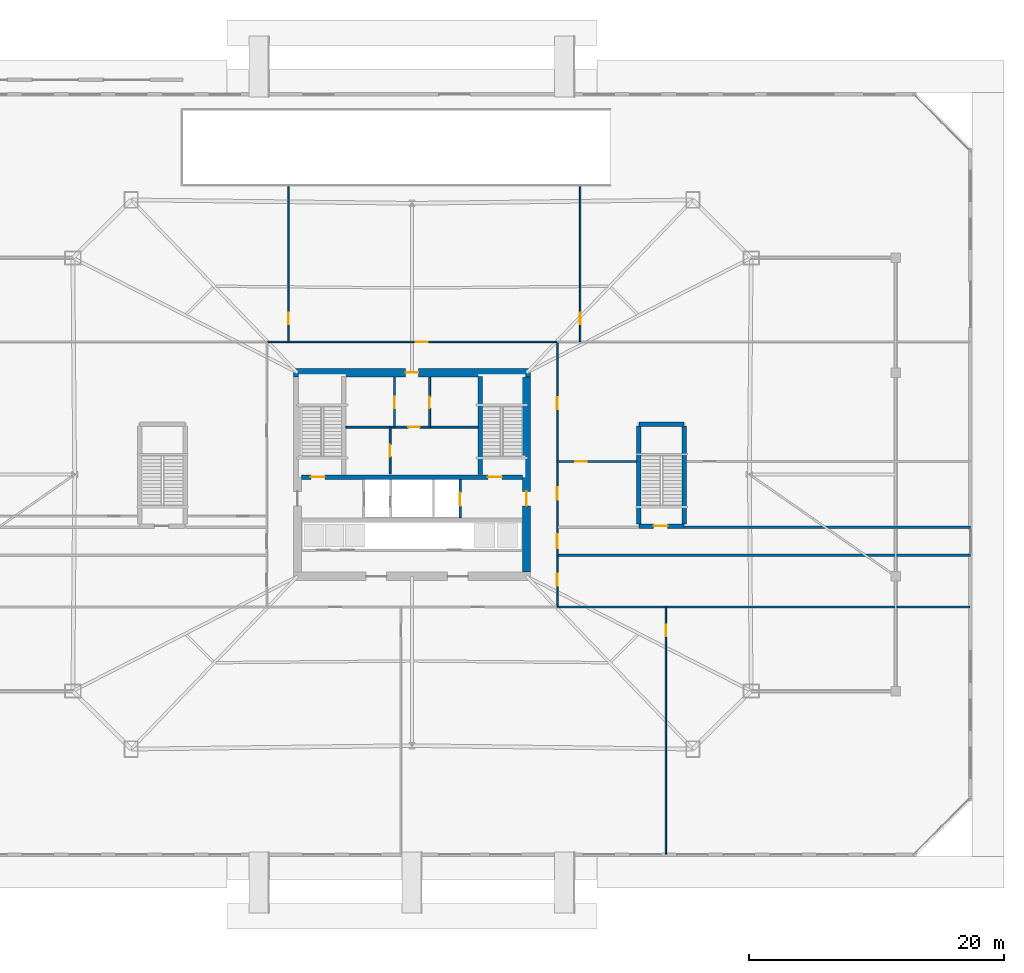
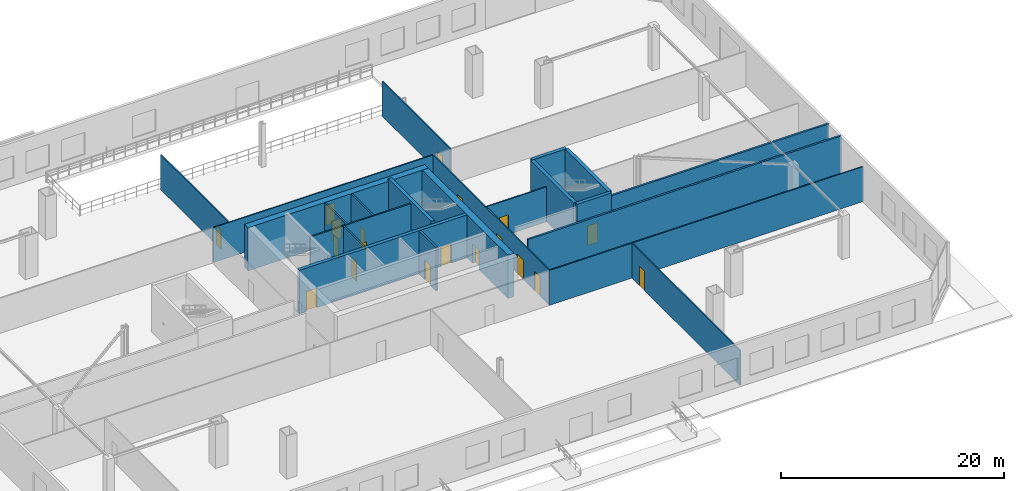
# One storey, part 16 of 23: 22 walls, 19 doors, 19 openings.
"""IFC4 building model written with IfcOpenShell, lengths in metres."""

import ifcopenshell
import ifcopenshell.guid

model = None  # the IFC model being written
_history = None  # IfcOwnerHistory: only IFC2X3 demands one
_inside = {}  # id of a spatial element -> (the spatial element, [elements in it])
_under = {}  # id of a project, library or spatial element -> (it, [spatial elements below it])
_declared = {}  # id of a project -> (the project, [libraries it declares])
_typed = {}  # id of a type object -> (the type object, [elements of that type])
_made_of = {}  # id of a material, layer set ... -> (it, [elements and type objects made of it])


def new_model(schema):
    """Start an empty IFC model of exactly this schema.

    Asked for "IFC4X3", IfcOpenShell would pick the latest addendum, in which some entities
    have other attributes; the version numbers below select the first issue.
    IFC2X3 requires an IfcOwnerHistory on every rooted entity: one is made here for all.
    """
    global model, _history
    if schema == "IFC4X3":
        model = ifcopenshell.file(schema_version=(4, 3, 0, 0))
    else:
        model = ifcopenshell.file(schema=schema)
    _inside.clear()
    _under.clear()
    _declared.clear()
    _typed.clear()
    _made_of.clear()
    _history = None
    if model.schema == "IFC2X3":
        org = make("IfcOrganization", Name="unknown")
        user = make(
            "IfcPersonAndOrganization",
            ThePerson=make("IfcPerson", FamilyName="unknown"),
            TheOrganization=org,
        )
        app = make(
            "IfcApplication",
            ApplicationDeveloper=org,
            Version="unknown",
            ApplicationFullName="unknown",
            ApplicationIdentifier="unknown",
        )
        _history = make(
            "IfcOwnerHistory",
            OwningUser=user,
            OwningApplication=app,
            ChangeAction="ADDED",
            CreationDate=0,
        )
    return model


def make(cls, **values):
    """One entity of the class cls with the attributes given. An attribute that is None is left unset."""
    return model.create_entity(
        cls, **{name: value for name, value in values.items() if value is not None}
    )


def rooted(cls, **values):
    """An entity with a GlobalId (a new one), such as an element, a storey or a relation."""
    return make(cls, GlobalId=ifcopenshell.guid.new(), OwnerHistory=_history, **values)


def si_unit(unit_type, name, prefix=None):
    """IfcSIUnit, for example si_unit("LENGTHUNIT", "METRE", prefix="MILLI")."""
    return make("IfcSIUnit", UnitType=unit_type, Prefix=prefix, Name=name)


def assignment(units):
    """IfcUnitAssignment: the units of a project."""
    return None if units is None else make("IfcUnitAssignment", Units=units)


def point(xyz):
    """IfcCartesianPoint."""
    return None if xyz is None else make("IfcCartesianPoint", Coordinates=xyz)


def direction(xyz):
    """IfcDirection."""
    return None if xyz is None else make("IfcDirection", DirectionRatios=xyz)


def frame(location, z_axis=None, x_axis=None):
    """IfcAxis2Placement3D, a coordinate frame: its origin and axes. An axis left out is left unset."""
    return make(
        "IfcAxis2Placement3D",
        Location=point(location),
        Axis=direction(z_axis),
        RefDirection=direction(x_axis),
    )


def frame_2d(location, x_axis=None):
    """IfcAxis2Placement2D, a coordinate frame in the plane: its origin and x axis."""
    return make(
        "IfcAxis2Placement2D", Location=point(location), RefDirection=direction(x_axis)
    )


def origin():
    """The frame at (0, 0, 0) with its axes left unset."""
    return frame((0.0, 0.0, 0.0))


def place(relative_to, where):
    """IfcLocalPlacement: puts the frame where relative to a parent placement (None: the world)."""
    return make(
        "IfcLocalPlacement", PlacementRelTo=relative_to, RelativePlacement=where
    )


def context(
    kind, dimensions, precision=None, world=None, true_north=None, identifier=None
):
    """IfcGeometricRepresentationContext, for example the 3D "Model" context."""
    return make(
        "IfcGeometricRepresentationContext",
        ContextIdentifier=identifier,
        ContextType=kind,
        CoordinateSpaceDimension=dimensions,
        Precision=precision,
        WorldCoordinateSystem=world,
        TrueNorth=true_north,
    )


def subcontext(parent, identifier, kind, view, scale=None):
    """IfcGeometricRepresentationSubContext, for example "Body" below "Model"."""
    return make(
        "IfcGeometricRepresentationSubContext",
        ContextIdentifier=identifier,
        ContextType=kind,
        ParentContext=parent,
        TargetScale=scale,
        TargetView=view,
    )


def project(units=None, contexts=None):
    """IfcProject with its units and contexts."""
    return rooted(
        "IfcProject",
        Name="project",
        RepresentationContexts=contexts,
        UnitsInContext=assignment(units),
    )


def spatial(cls, under=None, at=None, **own):
    """A site, building, storey or space (cls), placed at a placement, below another one or the project."""
    s = rooted(cls, ObjectPlacement=at, **own)
    if under is not None:
        _under.setdefault(under.id(), (under, []))[1].append(s)
    return s


def profile(cls, at=None, kind="AREA", **sizes):
    """A parametric profile (cls). Its sizes go by their IFC names, for example OverallWidth=200.0."""
    return make(cls, ProfileType=kind, Position=at, **sizes)


def rectangle(**sizes):
    """IfcRectangleProfileDef."""
    return profile("IfcRectangleProfileDef", **sizes)


def extrude(swept, where, along, depth):
    """IfcExtrudedAreaSolid: the profile swept, set in the frame where, extruded along a direction by depth."""
    return make(
        "IfcExtrudedAreaSolid",
        SweptArea=swept,
        Position=where,
        ExtrudedDirection=direction(along),
        Depth=depth,
    )


def shape(context_of_items, identifier, shape_type, items):
    """IfcShapeRepresentation: the items that make up one representation, for example the "Body"."""
    return make(
        "IfcShapeRepresentation",
        ContextOfItems=context_of_items,
        RepresentationIdentifier=identifier,
        RepresentationType=shape_type,
        Items=items,
    )


def material(Name=None, Category=None):
    """IfcMaterial."""
    return make("IfcMaterial", Name=Name, Category=Category)


def layer(
    of_material, thickness, ventilated=None, Name=None, Category=None, Priority=None
):
    """IfcMaterialLayer: one layer of a wall or slab, of a material (None: an air gap)."""
    return make(
        "IfcMaterialLayer",
        Material=of_material,
        LayerThickness=thickness,
        IsVentilated=ventilated,
        Name=Name,
        Category=Category,
        Priority=Priority,
    )


def layer_set(layers, Name=None):
    """IfcMaterialLayerSet."""
    return make("IfcMaterialLayerSet", MaterialLayers=layers, LayerSetName=Name)


def made_of(thing, what):
    """Note that an element or type object is made of a material, layer set ...; save() writes the relation."""
    if what is not None:
        _made_of.setdefault(what.id(), (what, []))[1].append(thing)
    return thing


def type_object(cls, material=None, **own):
    """A type object (cls), such as IfcWallType, which elements share."""
    return made_of(rooted(cls, **own), material)


def element(
    cls,
    number,
    at=None,
    inside=None,
    cuts=None,
    type_object=None,
    material=None,
    context=None,
    identifier="Body",
    shape_type=None,
    held_by="IfcProductDefinitionShape",
    body=None,
    shapes=None,
    **own,
):
    """One element of the class cls, such as IfcWall. Its Tag is "e" and its number.

    at: its placement. inside: the storey or other place that contains it. cuts: it is an
    opening in that element (IfcRelVoidsElement). A single representation is given by context,
    identifier, shape_type and body (its items); several are given by shapes. held_by: the class
    of the entity that holds the representations. save() writes the other relations.
    """
    e = rooted(cls, Tag="e%d" % number, ObjectPlacement=at, **own)
    if body is not None:
        shapes = [shape(context, identifier, shape_type, body)]
    if shapes is not None:
        e.Representation = make(held_by, Representations=shapes)
    if inside is not None:
        _inside.setdefault(inside.id(), (inside, []))[1].append(e)
    if cuts is not None:
        rooted(
            "IfcRelVoidsElement", RelatingBuildingElement=cuts, RelatedOpeningElement=e
        )
    if type_object is not None:
        _typed.setdefault(type_object.id(), (type_object, []))[1].append(e)
    return made_of(e, material)


def fill(opening, filler):
    """IfcRelFillsElement: the door or window that sits in an opening."""
    return rooted(
        "IfcRelFillsElement",
        RelatingOpeningElement=opening,
        RelatedBuildingElement=filler,
    )


def aggregate(whole, parts):
    """IfcRelAggregates: a whole, such as a stair, and the parts it consists of."""
    return rooted("IfcRelAggregates", RelatingObject=whole, RelatedObjects=parts)


def save(model, path):
    """Write the relations noted so far, then the file.

    IfcRelAggregates (storeys below a building ...), IfcRelContainedInSpatialStructure (elements
    in a storey), IfcRelDefinesByType, IfcRelAssociatesMaterial and IfcRelDeclares: one each for
    every whole, place, type object, material and project.
    """
    for whole, parts in _under.values():
        aggregate(whole, parts)
    for where, things in _inside.values():
        rooted(
            "IfcRelContainedInSpatialStructure",
            RelatedElements=things,
            RelatingStructure=where,
        )
    for kind, things in _typed.values():
        rooted("IfcRelDefinesByType", RelatedObjects=things, RelatingType=kind)
    for what, things in _made_of.values():
        rooted("IfcRelAssociatesMaterial", RelatedObjects=things, RelatingMaterial=what)
    for by, libraries in _declared.values():
        rooted("IfcRelDeclares", RelatingContext=by, RelatedDefinitions=libraries)
    model.write(path)


model = new_model("IFC4")

# Units and contexts
model_context = context("Model", 3, precision=1e-05, world=origin(), true_north=direction((0.0, 1.0)))
body_context = subcontext(model_context, "Body", "Model", "MODEL_VIEW")
ifc_project = project(units=[si_unit("LENGTHUNIT", "METRE"), si_unit("AREAUNIT", "SQUARE_METRE"), si_unit("VOLUMEUNIT", "CUBIC_METRE"), si_unit("PLANEANGLEUNIT", "RADIAN"), si_unit("MASSUNIT", "GRAM", prefix="KILO")], contexts=[model_context])

# Site, building, storey
site_placement = place(None, origin())
site = spatial("IfcSite", under=ifc_project, at=site_placement, CompositionType="ELEMENT")
building_placement = place(site_placement, origin())
building = spatial("IfcBuilding", under=site, at=building_placement, Name="Caelvoria Tower", CompositionType="ELEMENT")
storey_placement = place(building_placement, origin())
storey = spatial("IfcBuildingStorey", under=building, at=storey_placement, Name="L00", CompositionType="ELEMENT", Elevation=0.0)

# Wall, openings, doors
ifc_material_1 = material(Name="Concrete C50/60", Category="concrete")
ifc_layer_1 = layer(ifc_material_1, 0.35009765625, Name="Concrete C50/60")
ifc_layer_set_1 = layer_set([ifc_layer_1], Name="Core Internal Shear Wall 350 - Concrete C50/60")
wall_type_1 = type_object("IfcWallType", Name="Core Internal Shear Wall 350", PredefinedType="SHEAR", material=ifc_layer_set_1)
wall_1_placement = place(storey_placement, frame((37.324951171875, 31.800048828125, 0.0), z_axis=(0.0, 0.0, 1.0), x_axis=(1.0, 0.0, 0.0)))
wall_1 = element("IfcWall", 1, at=wall_1_placement, inside=storey, type_object=wall_type_1, Name="Core Shear Wall L00 M1", PredefinedType="SHEAR", context=body_context, shape_type="SweptSolid", body=[
    extrude(rectangle(XDim=17.35009765625, YDim=0.35009765625, at=frame_2d((8.675048828125, 0.0))), origin(), (0.0, 0.0, 1.0), 4.719970703125),
])
opening_1_placement = place(wall_1_placement, frame((0.72509765625, 0.0, 0.0)))
opening_1 = element("IfcOpeningElement", 2, at=opening_1_placement, cuts=wall_1, Name="Opening ID-01", PredefinedType="OPENING", context=body_context, shape_type="SweptSolid", body=[
    extrude(rectangle(XDim=1.10009765625, YDim=2.14990234375, at=frame_2d((0.550048828125, 1.074951171875))), frame((0.0, 0.18505859375, 0.0), z_axis=(0.0, -1.0, 0.0), x_axis=(1.0, 0.0, 0.0)), (0.0, 0.0, 1.0), 0.3701171875),
])
opening_2_placement = place(wall_1_placement, frame((14.625, 0.0, 0.0)))
opening_2 = element("IfcOpeningElement", 3, at=opening_2_placement, cuts=wall_1, Name="Opening ID-01", PredefinedType="OPENING", context=body_context, shape_type="SweptSolid", body=[
    extrude(rectangle(XDim=1.10009765625, YDim=2.14990234375, at=frame_2d((0.550048828125, 1.074951171875))), frame((0.0, 0.18505859375, 0.0), z_axis=(0.0, -1.0, 0.0), x_axis=(1.0, 0.0, 0.0)), (0.0, 0.0, 1.0), 0.3701171875),
])
ifc_material_2 = material(Name="Painted Hollow Steel Fire Door", Category="steel")
door_type_1 = type_object("IfcDoorType", Name="Fire Door FD90S 1100x2150", OperationType="NOTDEFINED", PredefinedType="DOOR", material=ifc_material_2)
door_1_placement = place(opening_1_placement, origin())
door_1 = element("IfcDoor", 4, at=door_1_placement, inside=storey, type_object=door_type_1, Name="Core Door DR-L00-ST1", OperationType="SINGLE_SWING_LEFT", OverallHeight=2.14990234375, OverallWidth=1.10009765625, PredefinedType="DOOR", context=body_context, shape_type="SweptSolid", body=[
    extrude(rectangle(XDim=1.10009765625, YDim=2.14990234375, at=frame_2d((0.550048828125, 1.074951171875))), frame((0.0, 0.02490234375, 0.0), z_axis=(0.0, -1.0, 0.0), x_axis=(1.0, 0.0, 0.0)), (0.0, 0.0, 1.0), 0.050048828125),
])
fill(opening_1, door_1)
door_2_placement = place(opening_2_placement, origin())
door_2 = element("IfcDoor", 5, at=door_2_placement, inside=storey, type_object=door_type_1, Name="Core Door DR-L00-ST2", OperationType="SINGLE_SWING_RIGHT", OverallHeight=2.14990234375, OverallWidth=1.10009765625, PredefinedType="DOOR", context=body_context, shape_type="SweptSolid", body=[
    extrude(rectangle(XDim=1.10009765625, YDim=2.14990234375, at=frame_2d((0.550048828125, 1.074951171875))), frame((0.0, 0.02490234375, 0.0), z_axis=(0.0, -1.0, 0.0), x_axis=(1.0, 0.0, 0.0)), (0.0, 0.0, 1.0), 0.050048828125),
])
fill(opening_2, door_2)

# Wall
wall_2_placement = place(storey_placement, frame((51.35009765625, 32.0, 0.0), z_axis=(0.0, 0.0, 1.0), x_axis=(0.0, 1.0, 0.0)))
element("IfcWall", 6, at=wall_2_placement, inside=storey, type_object=wall_type_1, Name="Interior Partition IW-L00-ST2W", PredefinedType="SHEAR", context=body_context, shape_type="SweptSolid", body=[
    extrude(rectangle(XDim=7.699951171875, YDim=0.35009765625, at=frame_2d((3.85009765625, 0.0))), origin(), (0.0, 0.0, 1.0), 5.0),
])

# Wall, opening, door
wall_3_placement = place(storey_placement, frame((63.824951171875, 27.949951171875, 0.0), z_axis=(0.0, 0.0, 1.0), x_axis=(1.0, 0.0, 0.0)))
wall_3 = element("IfcWall", 7, at=wall_3_placement, inside=storey, type_object=wall_type_1, Name="Podium Stair Shear Wall L00 ST4 S", PredefinedType="SHEAR", context=body_context, shape_type="SweptSolid", body=[
    extrude(rectangle(XDim=3.550048828125, YDim=0.35009765625, at=frame_2d((1.77490234375, 0.0))), origin(), (0.0, 0.0, 1.0), 5.0),
])
opening_3_placement = place(wall_3_placement, frame((1.14990234375, 0.0, 0.0)))
opening_3 = element("IfcOpeningElement", 8, at=opening_3_placement, cuts=wall_3, Name="Opening ID-01", PredefinedType="OPENING", context=body_context, shape_type="SweptSolid", body=[
    extrude(rectangle(XDim=1.10009765625, YDim=2.14990234375, at=frame_2d((0.550048828125, 1.074951171875))), frame((0.0, 0.18505859375, 0.0), z_axis=(0.0, -1.0, 0.0), x_axis=(1.0, 0.0, 0.0)), (0.0, 0.0, 1.0), 0.3701171875),
])
door_3_placement = place(opening_3_placement, origin())
door_3 = element("IfcDoor", 9, at=door_3_placement, inside=storey, type_object=door_type_1, Name="Podium Stair Door L00 ST4", OperationType="SINGLE_SWING_RIGHT", OverallHeight=2.14990234375, OverallWidth=1.10009765625, PredefinedType="DOOR", context=body_context, shape_type="SweptSolid", body=[
    extrude(rectangle(XDim=1.10009765625, YDim=2.14990234375, at=frame_2d((0.550048828125, 1.074951171875))), frame((0.0, 0.02490234375, 0.0), z_axis=(0.0, -1.0, 0.0), x_axis=(1.0, 0.0, 0.0)), (0.0, 0.0, 1.0), 0.050048828125),
])
fill(opening_3, door_3)

# Walls
wall_4_placement = place(storey_placement, frame((63.824951171875, 35.949951171875, 0.0), z_axis=(0.0, 0.0, 1.0), x_axis=(1.0, 0.0, 0.0)))
element("IfcWall", 10, at=wall_4_placement, inside=storey, type_object=wall_type_1, Name="Podium Stair Shear Wall L00 ST4 N", PredefinedType="SHEAR", context=body_context, shape_type="SweptSolid", body=[
    extrude(rectangle(XDim=3.550048828125, YDim=0.35009765625, at=frame_2d((1.77490234375, 0.0))), origin(), (0.0, 0.0, 1.0), 5.0),
])
for number, where, z_axis, x_axis, name in (
    (11, (63.824951171875, 28.10009765625, 0.0), (0.0, 0.0, 1.0), (0.0, 1.0, 0.0), "Podium Stair Shear Wall L00 ST4 W"),
    (12, (67.375, 28.10009765625, 0.0), (0.0, 0.0, 1.0), (0.0, 1.0, 0.0), "Podium Stair Shear Wall L00 ST4 E"),
):
    element("IfcWall", number, at=place(storey_placement, frame(where, z_axis=z_axis, x_axis=x_axis)), inside=storey, type_object=wall_type_1, Name=name, PredefinedType="SHEAR", context=body_context, shape_type="SweptSolid", body=[
        extrude(rectangle(XDim=7.699951171875, YDim=0.35009765625, at=frame_2d((3.85009765625, 0.0))), origin(), (0.0, 0.0, 1.0), 5.0),
    ])

# Wall, opening, door
ifc_material_3 = material(Name="Double Gypsum Board on Steel Stud", Category="steel")
ifc_layer_2 = layer(ifc_material_3, 0.14990234375, Name="Double Gypsum Board on Steel Stud")
ifc_layer_set_2 = layer_set([ifc_layer_2], Name="Core Service Acoustic Partition Wall 150 - Double Gypsum Board on Steel Stud")
wall_type_2 = type_object("IfcWallType", Name="Core Service Acoustic Partition Wall 150", PredefinedType="PARTITIONING", material=ifc_layer_set_2)
wall_5_placement = place(storey_placement, frame((44.6201171875, 35.719970703125, 0.0), z_axis=(0.0, 0.0, 1.0), x_axis=(0.0, 1.0, 0.0)))
wall_5 = element("IfcWall", 13, at=wall_5_placement, inside=storey, type_object=wall_type_2, Name="Interior Partition IW-L00-C0L", PredefinedType="PARTITIONING", context=body_context, shape_type="SweptSolid", body=[
    extrude(rectangle(XDim=3.929931640625, YDim=0.14990234375, at=frame_2d((1.96484375, 0.0))), origin(), (0.0, 0.0, 1.0), 4.719970703125),
])
opening_4_placement = place(wall_5_placement, frame((1.5, 0.0, 0.0)))
opening_4 = element("IfcOpeningElement", 14, at=opening_4_placement, cuts=wall_5, Name="Opening ID-06", PredefinedType="OPENING", context=body_context, shape_type="SweptSolid", body=[
    extrude(rectangle(XDim=0.89990234375, YDim=2.14990234375, at=frame_2d((0.449951171875, 1.074951171875))), frame((0.0, 0.0849609375, 0.0), z_axis=(0.0, -1.0, 0.0), x_axis=(1.0, 0.0, 0.0)), (0.0, 0.0, 1.0), 0.169921875),
])
ifc_material_4 = material(Name="Engineered Andean Oak Veneer Door", Category="wood")
door_type_2 = type_object("IfcDoorType", Name="Interior Timber Door 900x2150", OperationType="NOTDEFINED", PredefinedType="DOOR", material=ifc_material_4)
door_4_placement = place(opening_4_placement, origin())
door_4 = element("IfcDoor", 15, at=door_4_placement, inside=storey, type_object=door_type_2, Name="Interior Door DR-L00-C01", OperationType="SINGLE_SWING_LEFT", OverallHeight=2.14990234375, OverallWidth=0.89990234375, PredefinedType="DOOR", context=body_context, shape_type="SweptSolid", body=[
    extrude(rectangle(XDim=0.89990234375, YDim=2.14990234375, at=frame_2d((0.449951171875, 1.074951171875))), frame((0.0, 0.02490234375, 0.0), z_axis=(0.0, -1.0, 0.0), x_axis=(1.0, 0.0, 0.0)), (0.0, 0.0, 1.0), 0.050048828125),
])
fill(opening_4, door_4)

wall_6_placement = place(storey_placement, frame((47.3798828125, 35.719970703125, 0.0), z_axis=(0.0, 0.0, 1.0), x_axis=(0.0, 1.0, 0.0)))
wall_6 = element("IfcWall", 16, at=wall_6_placement, inside=storey, type_object=wall_type_2, Name="Interior Partition IW-L00-C0R", PredefinedType="PARTITIONING", context=body_context, shape_type="SweptSolid", body=[
    extrude(rectangle(XDim=3.929931640625, YDim=0.14990234375, at=frame_2d((1.96484375, 0.0))), origin(), (0.0, 0.0, 1.0), 4.719970703125),
])
opening_5_placement = place(wall_6_placement, frame((1.5, 0.0, 0.0)))
opening_5 = element("IfcOpeningElement", 17, at=opening_5_placement, cuts=wall_6, Name="Opening ID-06", PredefinedType="OPENING", context=body_context, shape_type="SweptSolid", body=[
    extrude(rectangle(XDim=0.89990234375, YDim=2.14990234375, at=frame_2d((0.449951171875, 1.074951171875))), frame((0.0, 0.0849609375, 0.0), z_axis=(0.0, -1.0, 0.0), x_axis=(1.0, 0.0, 0.0)), (0.0, 0.0, 1.0), 0.169921875),
])
door_5_placement = place(opening_5_placement, origin())
door_5 = element("IfcDoor", 18, at=door_5_placement, inside=storey, type_object=door_type_2, Name="Interior Door DR-L00-C02", OperationType="SINGLE_SWING_RIGHT", OverallHeight=2.14990234375, OverallWidth=0.89990234375, PredefinedType="DOOR", context=body_context, shape_type="SweptSolid", body=[
    extrude(rectangle(XDim=0.89990234375, YDim=2.14990234375, at=frame_2d((0.449951171875, 1.074951171875))), frame((0.0, 0.02490234375, 0.0), z_axis=(0.0, -1.0, 0.0), x_axis=(1.0, 0.0, 0.0)), (0.0, 0.0, 1.0), 0.050048828125),
])
fill(opening_5, door_5)

wall_7_placement = place(storey_placement, frame((44.280029296875, 32.050048828125, 0.0), z_axis=(0.0, 0.0, 1.0), x_axis=(0.0, 1.0, 0.0)))
wall_7 = element("IfcWall", 19, at=wall_7_placement, inside=storey, type_object=wall_type_2, Name="Interior Partition IW-L00-C0M", PredefinedType="PARTITIONING", context=body_context, shape_type="SweptSolid", body=[
    extrude(rectangle(XDim=3.669921875, YDim=0.14990234375, at=frame_2d((1.8349609375, 0.0))), origin(), (0.0, 0.0, 1.0), 4.719970703125),
])
opening_6_placement = place(wall_7_placement, frame((1.35009765625, 0.0, 0.0)))
opening_6 = element("IfcOpeningElement", 20, at=opening_6_placement, cuts=wall_7, Name="Opening ID-07", PredefinedType="OPENING", context=body_context, shape_type="SweptSolid", body=[
    extrude(rectangle(XDim=0.919921875, YDim=2.14990234375, at=frame_2d((0.4599609375, 1.074951171875))), frame((0.0, 0.0849609375, 0.0), z_axis=(0.0, -1.0, 0.0), x_axis=(1.0, 0.0, 0.0)), (0.0, 0.0, 1.0), 0.169921875),
])
ifc_material_5 = material(Name="Engineered Andean Oak Accessible Door", Category="wood")
door_type_3 = type_object("IfcDoorType", Name="Accessible WC Door 950x2150", OperationType="NOTDEFINED", PredefinedType="DOOR", material=ifc_material_5)
door_6_placement = place(opening_6_placement, origin())
door_6 = element("IfcDoor", 21, at=door_6_placement, inside=storey, type_object=door_type_3, Name="Interior Door DR-L00-C05", OperationType="SINGLE_SWING_LEFT", OverallHeight=2.14990234375, OverallWidth=0.919921875, PredefinedType="DOOR", context=body_context, shape_type="SweptSolid", body=[
    extrude(rectangle(XDim=0.919921875, YDim=2.14990234375, at=frame_2d((0.4599609375, 1.074951171875))), frame((0.0, 0.02490234375, 0.0), z_axis=(0.0, -1.0, 0.0), x_axis=(1.0, 0.0, 0.0)), (0.0, 0.0, 1.0), 0.050048828125),
])
fill(opening_6, door_6)

wall_8_placement = place(storey_placement, frame((40.800048828125, 35.719970703125, 0.0), z_axis=(0.0, 0.0, 1.0), x_axis=(1.0, 0.0, 0.0)))
wall_8 = element("IfcWall", 22, at=wall_8_placement, inside=storey, type_object=wall_type_2, Name="Interior Partition IW-L00-C0H", PredefinedType="PARTITIONING", context=body_context, shape_type="SweptSolid", body=[
    extrude(rectangle(XDim=10.39990234375, YDim=0.14990234375, at=frame_2d((5.199951171875, 0.0))), origin(), (0.0, 0.0, 1.0), 4.719970703125),
])
opening_7_placement = place(wall_8_placement, frame((4.89990234375, 0.0, 0.0)))
opening_7 = element("IfcOpeningElement", 23, at=opening_7_placement, cuts=wall_8, Name="Opening ID-04", PredefinedType="OPENING", context=body_context, shape_type="SweptSolid", body=[
    extrude(rectangle(XDim=0.89990234375, YDim=2.14990234375, at=frame_2d((0.449951171875, 1.074951171875))), frame((0.0, 0.0849609375, 0.0), z_axis=(0.0, -1.0, 0.0), x_axis=(1.0, 0.0, 0.0)), (0.0, 0.0, 1.0), 0.169921875),
])
ifc_material_6 = material(Name="Acoustic Timber Fire Door", Category="wood")
door_type_4 = type_object("IfcDoorType", Name="Fire Door FD30S 900x2150", OperationType="NOTDEFINED", PredefinedType="DOOR", material=ifc_material_6)
door_7_placement = place(opening_7_placement, origin())
door_7 = element("IfcDoor", 24, at=door_7_placement, inside=storey, type_object=door_type_4, Name="Interior Door DR-L00-C04", OperationType="SINGLE_SWING_RIGHT", OverallHeight=2.14990234375, OverallWidth=0.89990234375, PredefinedType="DOOR", context=body_context, shape_type="SweptSolid", body=[
    extrude(rectangle(XDim=0.89990234375, YDim=2.14990234375, at=frame_2d((0.449951171875, 1.074951171875))), frame((0.0, 0.02490234375, 0.0), z_axis=(0.0, -1.0, 0.0), x_axis=(1.0, 0.0, 0.0)), (0.0, 0.0, 1.0), 0.050048828125),
])
fill(opening_7, door_7)

ifc_material_7 = material(Name="Concrete Block and Fireboard Assembly", Category="concrete")
ifc_layer_3 = layer(ifc_material_7, 0.199951171875, Name="Concrete Block and Fireboard Assembly")
ifc_layer_set_3 = layer_set([ifc_layer_3], Name="Fire-Rated Shaft and Core Partition Wall 200 - Concrete Block and Fireboard Assembly")
wall_type_3 = type_object("IfcWallType", Name="Fire-Rated Shaft and Core Partition Wall 200", PredefinedType="PARTITIONING", material=ifc_layer_set_3)
wall_9_placement = place(storey_placement, frame((49.780029296875, 28.580078125, 0.0), z_axis=(0.0, 0.0, 1.0), x_axis=(0.0, 1.0, 0.0)))
wall_9 = element("IfcWall", 25, at=wall_9_placement, inside=storey, type_object=wall_type_3, Name="Interior Partition IW-L00-LF2E", PredefinedType="PARTITIONING", context=body_context, shape_type="SweptSolid", body=[
    extrude(rectangle(XDim=3.0400390625, YDim=0.199951171875, at=frame_2d((1.52001953125, 0.0))), origin(), (0.0, 0.0, 1.0), 4.719970703125),
])
opening_8_placement = place(wall_9_placement, frame((0.949951171875, 0.0, 0.0)))
opening_8 = element("IfcOpeningElement", 26, at=opening_8_placement, cuts=wall_9, Name="Opening LD-01", PredefinedType="OPENING", context=body_context, shape_type="SweptSolid", body=[
    extrude(rectangle(XDim=1.050048828125, YDim=2.14990234375, at=frame_2d((0.52490234375, 1.074951171875))), frame((0.0, 0.10986328125, 0.0), z_axis=(0.0, -1.0, 0.0), x_axis=(1.0, 0.0, 0.0)), (0.0, 0.0, 1.0), 0.219970703125),
])
ifc_material_8 = material(Name="Brushed Bronze Stainless Sliding Landing Door", Category="aluminium")
door_type_5 = type_object("IfcDoorType", Name="Lift Landing Sliding Door 1100x2150", OperationType="NOTDEFINED", PredefinedType="DOOR", material=ifc_material_8)
door_8_placement = place(opening_8_placement, origin())
door_8 = element("IfcDoor", 27, at=door_8_placement, inside=storey, type_object=door_type_5, Name="Interior Door LD-L00-LF2", OperationType="SLIDING_TO_RIGHT", OverallHeight=2.14990234375, OverallWidth=1.050048828125, PredefinedType="DOOR", context=body_context, shape_type="SweptSolid", body=[
    extrude(rectangle(XDim=1.050048828125, YDim=2.14990234375, at=frame_2d((0.52490234375, 1.074951171875))), frame((0.0, 0.02490234375, 0.0), z_axis=(0.0, -1.0, 0.0), x_axis=(1.0, 0.0, 0.0)), (0.0, 0.0, 1.0), 0.050048828125),
])
fill(opening_8, door_8)

# Walls
wall_10_placement = place(storey_placement, frame((57.469970703125, 25.64990234375, 0.0), z_axis=(0.0, 0.0, 1.0), x_axis=(1.0, 0.0, 0.0)))
element("IfcWall", 28, at=wall_10_placement, inside=storey, type_object=wall_type_3, Name="Interior Partition IW-L00-EXE-S", PredefinedType="PARTITIONING", context=body_context, shape_type="SweptSolid", body=[
    extrude(rectangle(XDim=32.39013671875, YDim=0.199951171875, at=frame_2d((16.195068359375, 0.0))), origin(), (0.0, 0.0, 1.0), 4.719970703125),
])
wall_11_placement = place(storey_placement, frame((67.3798828125, 27.85009765625, 0.0), z_axis=(0.0, 0.0, 1.0), x_axis=(1.0, 0.0, 0.0)))
element("IfcWall", 29, at=wall_11_placement, inside=storey, type_object=wall_type_3, Name="Interior Partition IW-L00-EXE-N", PredefinedType="PARTITIONING", context=body_context, shape_type="SweptSolid", body=[
    extrude(rectangle(XDim=22.480224609375, YDim=0.199951171875, at=frame_2d((11.240234375, 0.0))), origin(), (0.0, 0.0, 1.0), 4.719970703125),
])

# Wall, opening, door
ifc_material_9 = material(Name="Concrete C60/75", Category="concrete")
ifc_layer_4 = layer(ifc_material_9, 0.64990234375, Name="Concrete C60/75")
ifc_layer_set_4 = layer_set([ifc_layer_4], Name="Lower Core Shear Wall 650 - Concrete C60/75")
wall_type_4 = type_object("IfcWallType", Name="Lower Core Shear Wall 650", PredefinedType="SHEAR", material=ifc_layer_set_4)
wall_12_placement = place(storey_placement, frame((36.675048828125, 40.0, 0.0), z_axis=(0.0, 0.0, 1.0), x_axis=(1.0, 0.0, 0.0)))
wall_12 = element("IfcWall", 30, at=wall_12_placement, inside=storey, type_object=wall_type_4, Name="Core Shear Wall L00 N", PredefinedType="SHEAR", context=body_context, shape_type="SweptSolid", body=[
    extrude(rectangle(XDim=18.64990234375, YDim=0.64990234375, at=frame_2d((9.324951171875, 0.0))), origin(), (0.0, 0.0, 1.0), 4.719970703125),
])
opening_9_placement = place(wall_12_placement, frame((8.824951171875, 0.0, 0.0)))
opening_9 = element("IfcOpeningElement", 31, at=opening_9_placement, cuts=wall_12, Name="Opening ID-03", PredefinedType="OPENING", context=body_context, shape_type="SweptSolid", body=[
    extrude(rectangle(XDim=1.0, YDim=2.14990234375, at=frame_2d((0.5, 1.074951171875))), frame((0.0, 0.3349609375, 0.0), z_axis=(0.0, -1.0, 0.0), x_axis=(1.0, 0.0, 0.0)), (0.0, 0.0, 1.0), 0.669921875),
])
door_type_6 = type_object("IfcDoorType", Name="Fire Door FD60S 1000x2150", OperationType="NOTDEFINED", PredefinedType="DOOR", material=ifc_material_2)
door_9_placement = place(opening_9_placement, origin())
door_9 = element("IfcDoor", 32, at=door_9_placement, inside=storey, type_object=door_type_6, Name="Core Door DR-L00-WC-MAIN", OperationType="SINGLE_SWING_RIGHT", OverallHeight=2.14990234375, OverallWidth=1.0, PredefinedType="DOOR", context=body_context, shape_type="SweptSolid", body=[
    extrude(rectangle(XDim=1.0, YDim=2.14990234375, at=frame_2d((0.5, 1.074951171875))), frame((0.0, 0.02490234375, 0.0), z_axis=(0.0, -1.0, 0.0), x_axis=(1.0, 0.0, 0.0)), (0.0, 0.0, 1.0), 0.050048828125),
])
fill(opening_9, door_9)

wall_13_placement = place(storey_placement, frame((55.0, 24.324951171875, 0.0), z_axis=(0.0, 0.0, 1.0), x_axis=(0.0, 1.0, 0.0)))
wall_13 = element("IfcWall", 33, at=wall_13_placement, inside=storey, type_object=wall_type_4, Name="Core Shear Wall L00 E", PredefinedType="SHEAR", context=body_context, shape_type="SweptSolid", body=[
    extrude(rectangle(XDim=15.35009765625, YDim=0.64990234375, at=frame_2d((7.675048828125, 0.0))), origin(), (0.0, 0.0, 1.0), 4.719970703125),
])
opening_10_placement = place(wall_13_placement, frame((5.199951171875, 0.0, 0.0)))
opening_10 = element("IfcOpeningElement", 34, at=opening_10_placement, cuts=wall_13, Name="Opening ID-02", PredefinedType="OPENING", context=body_context, shape_type="SweptSolid", body=[
    extrude(rectangle(XDim=1.14990234375, YDim=2.14990234375, at=frame_2d((0.574951171875, 1.074951171875))), frame((0.0, 0.3349609375, 0.0), z_axis=(0.0, -1.0, 0.0), x_axis=(1.0, 0.0, 0.0)), (0.0, 0.0, 1.0), 0.669921875),
])
door_type_7 = type_object("IfcDoorType", Name="Fire Door FD60S 1150x2150", OperationType="NOTDEFINED", PredefinedType="DOOR", material=ifc_material_2)
door_10_placement = place(opening_10_placement, origin())
door_10 = element("IfcDoor", 35, at=door_10_placement, inside=storey, type_object=door_type_7, Name="Core Door DR-L00-FFLE-OUT", OperationType="SINGLE_SWING_RIGHT", OverallHeight=2.14990234375, OverallWidth=1.14990234375, PredefinedType="DOOR", context=body_context, shape_type="SweptSolid", body=[
    extrude(rectangle(XDim=1.14990234375, YDim=2.14990234375, at=frame_2d((0.574951171875, 1.074951171875))), frame((0.0, 0.02490234375, 0.0), z_axis=(0.0, -1.0, 0.0), x_axis=(1.0, 0.0, 0.0)), (0.0, 0.0, 1.0), 0.050048828125),
])
fill(opening_10, door_10)

ifc_material_10 = material(Name="Acoustic Gypsum Board on Light-Gauge Stud", Category="gypsum")
ifc_layer_5 = layer(ifc_material_10, 0.1201171875, Name="Acoustic Gypsum Board on Light-Gauge Stud")
ifc_layer_set_5 = layer_set([ifc_layer_5], Name="Tenant Suite Acoustic Partition Wall 120 - Acoustic Gypsum Board on Light-Gauge Stud")
wall_type_5 = type_object("IfcWallType", Name="Tenant Suite Acoustic Partition Wall 120", PredefinedType="PARTITIONING", material=ifc_layer_set_5)
wall_14_placement = place(storey_placement, frame((65.9384765625, 21.590087890625, 0.0), z_axis=(0.0, 0.0, 1.0), x_axis=(0.0, -1.0, 0.0)))
wall_14 = element("IfcWall", 36, at=wall_14_placement, inside=storey, type_object=wall_type_5, Name="Interior Partition IW-L00-SD-02-0", PredefinedType="PARTITIONING", context=body_context, shape_type="SweptSolid", body=[
    extrude(rectangle(XDim=19.41015625, YDim=0.1201171875, at=frame_2d((9.705078125, 0.0))), origin(), (0.0, 0.0, 1.0), 3.820068359375),
])
opening_11_placement = place(wall_14_placement, frame((1.39990234375, 0.0, 0.0)))
opening_11 = element("IfcOpeningElement", 37, at=opening_11_placement, cuts=wall_14, Name="Opening ID-06", PredefinedType="OPENING", context=body_context, shape_type="SweptSolid", body=[
    extrude(rectangle(XDim=0.89990234375, YDim=2.14990234375, at=frame_2d((0.449951171875, 1.074951171875))), frame((0.0, 0.070068359375, 0.0), z_axis=(0.0, -1.0, 0.0), x_axis=(1.0, 0.0, 0.0)), (0.0, 0.0, 1.0), 0.14013671875),
])
door_11_placement = place(opening_11_placement, origin())
door_11 = element("IfcDoor", 38, at=door_11_placement, inside=storey, type_object=door_type_2, Name="Interior Door DR-L00-SM-02-0", OperationType="SINGLE_SWING_RIGHT", OverallHeight=2.14990234375, OverallWidth=0.89990234375, PredefinedType="DOOR", context=body_context, shape_type="SweptSolid", body=[
    extrude(rectangle(XDim=0.89990234375, YDim=2.14990234375, at=frame_2d((0.449951171875, 1.074951171875))), frame((0.0, 0.02490234375, 0.0), z_axis=(0.0, -1.0, 0.0), x_axis=(1.0, 0.0, 0.0)), (0.0, 0.0, 1.0), 0.050048828125),
])
fill(opening_11, door_11)

wall_15_placement = place(storey_placement, frame((36.301513671875, 42.409912109375, 0.0), z_axis=(0.0, 0.0, 1.0), x_axis=(0.0, 1.0, 0.0)))
wall_15 = element("IfcWall", 39, at=wall_15_placement, inside=storey, type_object=wall_type_5, Name="Interior Partition IW-L00-ND-00-0", PredefinedType="PARTITIONING", context=body_context, shape_type="SweptSolid", body=[
    extrude(rectangle(XDim=12.190185546875, YDim=0.1201171875, at=frame_2d((6.09521484375, 0.0))), origin(), (0.0, 0.0, 1.0), 3.820068359375),
])
opening_12_placement = place(wall_15_placement, frame((1.39990234375, 0.0, 0.0)))
opening_12 = element("IfcOpeningElement", 40, at=opening_12_placement, cuts=wall_15, Name="Opening ID-06", PredefinedType="OPENING", context=body_context, shape_type="SweptSolid", body=[
    extrude(rectangle(XDim=0.89990234375, YDim=2.14990234375, at=frame_2d((0.449951171875, 1.074951171875))), frame((0.0, 0.070068359375, 0.0), z_axis=(0.0, -1.0, 0.0), x_axis=(1.0, 0.0, 0.0)), (0.0, 0.0, 1.0), 0.14013671875),
])
door_12_placement = place(opening_12_placement, origin())
door_12 = element("IfcDoor", 41, at=door_12_placement, inside=storey, type_object=door_type_2, Name="Interior Door DR-L00-NM-00-0", OperationType="SINGLE_SWING_RIGHT", OverallHeight=2.14990234375, OverallWidth=0.89990234375, PredefinedType="DOOR", context=body_context, shape_type="SweptSolid", body=[
    extrude(rectangle(XDim=0.89990234375, YDim=2.14990234375, at=frame_2d((0.449951171875, 1.074951171875))), frame((0.0, 0.02490234375, 0.0), z_axis=(0.0, -1.0, 0.0), x_axis=(1.0, 0.0, 0.0)), (0.0, 0.0, 1.0), 0.050048828125),
])
fill(opening_12, door_12)

wall_16_placement = place(storey_placement, frame((59.211669921875, 42.409912109375, 0.0), z_axis=(0.0, 0.0, 1.0), x_axis=(0.0, 1.0, 0.0)))
wall_16 = element("IfcWall", 42, at=wall_16_placement, inside=storey, type_object=wall_type_5, Name="Interior Partition IW-L00-ND-01-0", PredefinedType="PARTITIONING", context=body_context, shape_type="SweptSolid", body=[
    extrude(rectangle(XDim=12.190185546875, YDim=0.1201171875, at=frame_2d((6.09521484375, 0.0))), origin(), (0.0, 0.0, 1.0), 3.820068359375),
])
opening_13_placement = place(wall_16_placement, frame((1.39990234375, 0.0, 0.0)))
opening_13 = element("IfcOpeningElement", 43, at=opening_13_placement, cuts=wall_16, Name="Opening ID-06", PredefinedType="OPENING", context=body_context, shape_type="SweptSolid", body=[
    extrude(rectangle(XDim=0.89990234375, YDim=2.14990234375, at=frame_2d((0.449951171875, 1.074951171875))), frame((0.0, 0.070068359375, 0.0), z_axis=(0.0, -1.0, 0.0), x_axis=(1.0, 0.0, 0.0)), (0.0, 0.0, 1.0), 0.14013671875),
])
door_13_placement = place(opening_13_placement, origin())
door_13 = element("IfcDoor", 44, at=door_13_placement, inside=storey, type_object=door_type_2, Name="Interior Door DR-L00-NM-01-0", OperationType="SINGLE_SWING_LEFT", OverallHeight=2.14990234375, OverallWidth=0.89990234375, PredefinedType="DOOR", context=body_context, shape_type="SweptSolid", body=[
    extrude(rectangle(XDim=0.89990234375, YDim=2.14990234375, at=frame_2d((0.449951171875, 1.074951171875))), frame((0.0, 0.02490234375, 0.0), z_axis=(0.0, -1.0, 0.0), x_axis=(1.0, 0.0, 0.0)), (0.0, 0.0, 1.0), 0.050048828125),
])
fill(opening_13, door_13)

wall_17_placement = place(storey_placement, frame((34.64990234375, 42.409912109375, 0.0), z_axis=(0.0, 0.0, 1.0), x_axis=(1.0, 0.0, 0.0)))
wall_17 = element("IfcWall", 45, at=wall_17_placement, inside=storey, type_object=wall_type_5, Name="Interior Partition IW-L00-NCW-0", PredefinedType="PARTITIONING", context=body_context, shape_type="SweptSolid", body=[
    extrude(rectangle(XDim=22.7001953125, YDim=0.1201171875, at=frame_2d((11.35009765625, 0.0))), origin(), (0.0, 0.0, 1.0), 3.820068359375),
])
opening_14_placement = place(wall_17_placement, frame((11.630859375, 0.0, 0.0)))
opening_14 = element("IfcOpeningElement", 46, at=opening_14_placement, cuts=wall_17, Name="Opening ID-05", PredefinedType="OPENING", context=body_context, shape_type="SweptSolid", body=[
    extrude(rectangle(XDim=0.949951171875, YDim=2.14990234375, at=frame_2d((0.47509765625, 1.074951171875))), frame((0.0, 0.070068359375, 0.0), z_axis=(0.0, -1.0, 0.0), x_axis=(1.0, 0.0, 0.0)), (0.0, 0.0, 1.0), 0.14013671875),
])
door_type_8 = type_object("IfcDoorType", Name="Interior Timber Door 950x2150", OperationType="NOTDEFINED", PredefinedType="DOOR", material=ifc_material_4)
door_14_placement = place(opening_14_placement, origin())
door_14 = element("IfcDoor", 47, at=door_14_placement, inside=storey, type_object=door_type_8, Name="Interior Door DR-L00-NC-01-0", OperationType="SINGLE_SWING_RIGHT", OverallHeight=2.14990234375, OverallWidth=0.949951171875, PredefinedType="DOOR", context=body_context, shape_type="SweptSolid", body=[
    extrude(rectangle(XDim=0.949951171875, YDim=2.14990234375, at=frame_2d((0.47509765625, 1.074951171875))), frame((0.0, 0.02490234375, 0.0), z_axis=(0.0, -1.0, 0.0), x_axis=(1.0, 0.0, 0.0)), (0.0, 0.0, 1.0), 0.050048828125),
])
fill(opening_14, door_14)

wall_18_placement = place(storey_placement, frame((57.409912109375, 33.01904296875, 0.0), z_axis=(0.0, 0.0, 1.0), x_axis=(1.0, 0.0, 0.0)))
wall_18 = element("IfcWall", 48, at=wall_18_placement, inside=storey, type_object=wall_type_5, Name="Interior Partition IW-L00-ED-00-0", PredefinedType="PARTITIONING", context=body_context, shape_type="SweptSolid", body=[
    extrude(rectangle(XDim=6.239990234375, YDim=0.1201171875, at=frame_2d((3.1201171875, 0.0))), origin(), (0.0, 0.0, 1.0), 3.820068359375),
])
opening_15_placement = place(wall_18_placement, frame((1.39990234375, 0.0, 0.0)))
opening_15 = element("IfcOpeningElement", 49, at=opening_15_placement, cuts=wall_18, Name="Opening ID-06", PredefinedType="OPENING", context=body_context, shape_type="SweptSolid", body=[
    extrude(rectangle(XDim=0.89990234375, YDim=2.14990234375, at=frame_2d((0.449951171875, 1.074951171875))), frame((0.0, 0.070068359375, 0.0), z_axis=(0.0, -1.0, 0.0), x_axis=(1.0, 0.0, 0.0)), (0.0, 0.0, 1.0), 0.14013671875),
])
door_15_placement = place(opening_15_placement, origin())
door_15 = element("IfcDoor", 50, at=door_15_placement, inside=storey, type_object=door_type_2, Name="Interior Door DR-L00-EM-00-0", OperationType="SINGLE_SWING_RIGHT", OverallHeight=2.14990234375, OverallWidth=0.89990234375, PredefinedType="DOOR", context=body_context, shape_type="SweptSolid", body=[
    extrude(rectangle(XDim=0.89990234375, YDim=2.14990234375, at=frame_2d((0.449951171875, 1.074951171875))), frame((0.0, 0.02490234375, 0.0), z_axis=(0.0, -1.0, 0.0), x_axis=(1.0, 0.0, 0.0)), (0.0, 0.0, 1.0), 0.050048828125),
])
fill(opening_15, door_15)

# Wall, openings, doors
wall_19_placement = place(storey_placement, frame((57.409912109375, 21.64990234375, 0.0), z_axis=(0.0, 0.0, 1.0), x_axis=(0.0, 1.0, 0.0)))
wall_19 = element("IfcWall", 51, at=wall_19_placement, inside=storey, type_object=wall_type_5, Name="Interior Partition IW-L00-ECW-0", PredefinedType="PARTITIONING", context=body_context, shape_type="SweptSolid", body=[
    extrude(rectangle(XDim=20.7001953125, YDim=0.1201171875, at=frame_2d((10.35009765625, 0.0))), origin(), (0.0, 0.0, 1.0), 3.820068359375),
])
opening_16_placement = place(wall_19_placement, frame((1.60498046875, 0.0, 0.0)))
opening_16 = element("IfcOpeningElement", 52, at=opening_16_placement, cuts=wall_19, Name="Opening ID-05", PredefinedType="OPENING", context=body_context, shape_type="SweptSolid", body=[
    extrude(rectangle(XDim=0.949951171875, YDim=2.14990234375, at=frame_2d((0.47509765625, 1.074951171875))), frame((0.0, 0.070068359375, 0.0), z_axis=(0.0, -1.0, 0.0), x_axis=(1.0, 0.0, 0.0)), (0.0, 0.0, 1.0), 0.14013671875),
])
opening_17_placement = place(wall_19_placement, frame((8.37939453125, 0.0, 0.0)))
opening_17 = element("IfcOpeningElement", 53, at=opening_17_placement, cuts=wall_19, Name="Opening ID-05", PredefinedType="OPENING", context=body_context, shape_type="SweptSolid", body=[
    extrude(rectangle(XDim=0.949951171875, YDim=2.14990234375, at=frame_2d((0.47509765625, 1.074951171875))), frame((0.0, 0.070068359375, 0.0), z_axis=(0.0, -1.0, 0.0), x_axis=(1.0, 0.0, 0.0)), (0.0, 0.0, 1.0), 0.14013671875),
])
opening_18_placement = place(wall_19_placement, frame((15.45947265625, 0.0, 0.0)))
opening_18 = element("IfcOpeningElement", 54, at=opening_18_placement, cuts=wall_19, Name="Opening ID-05", PredefinedType="OPENING", context=body_context, shape_type="SweptSolid", body=[
    extrude(rectangle(XDim=0.949951171875, YDim=2.14990234375, at=frame_2d((0.47509765625, 1.074951171875))), frame((0.0, 0.070068359375, 0.0), z_axis=(0.0, -1.0, 0.0), x_axis=(1.0, 0.0, 0.0)), (0.0, 0.0, 1.0), 0.14013671875),
])
opening_19_placement = place(wall_19_placement, frame((4.550048828125, 0.0, 0.0)))
opening_19 = element("IfcOpeningElement", 55, at=opening_19_placement, cuts=wall_19, Name="Opening ID-01", PredefinedType="OPENING", context=body_context, shape_type="SweptSolid", body=[
    extrude(rectangle(XDim=1.10009765625, YDim=2.14990234375, at=frame_2d((0.550048828125, 1.074951171875))), frame((0.0, 0.070068359375, 0.0), z_axis=(0.0, -1.0, 0.0), x_axis=(1.0, 0.0, 0.0)), (0.0, 0.0, 1.0), 0.14013671875),
])
door_16_placement = place(opening_19_placement, origin())
door_16 = element("IfcDoor", 56, at=door_16_placement, inside=storey, type_object=door_type_1, Name="Interior Door DR-L00-EXE-IN", OperationType="SINGLE_SWING_RIGHT", OverallHeight=2.14990234375, OverallWidth=1.10009765625, PredefinedType="DOOR", context=body_context, shape_type="SweptSolid", body=[
    extrude(rectangle(XDim=1.10009765625, YDim=2.14990234375, at=frame_2d((0.550048828125, 1.074951171875))), frame((0.0, 0.02490234375, 0.0), z_axis=(0.0, -1.0, 0.0), x_axis=(1.0, 0.0, 0.0)), (0.0, 0.0, 1.0), 0.050048828125),
])
fill(opening_19, door_16)
door_17_placement = place(opening_16_placement, origin())
door_17 = element("IfcDoor", 57, at=door_17_placement, inside=storey, type_object=door_type_8, Name="Interior Door DR-L00-EC-00-0", OperationType="SINGLE_SWING_LEFT", OverallHeight=2.14990234375, OverallWidth=0.949951171875, PredefinedType="DOOR", context=body_context, shape_type="SweptSolid", body=[
    extrude(rectangle(XDim=0.949951171875, YDim=2.14990234375, at=frame_2d((0.47509765625, 1.074951171875))), frame((0.0, 0.02490234375, 0.0), z_axis=(0.0, -1.0, 0.0), x_axis=(1.0, 0.0, 0.0)), (0.0, 0.0, 1.0), 0.050048828125),
])
fill(opening_16, door_17)
door_18_placement = place(opening_17_placement, origin())
door_18 = element("IfcDoor", 58, at=door_18_placement, inside=storey, type_object=door_type_8, Name="Interior Door DR-L00-EC-00-2", OperationType="SINGLE_SWING_LEFT", OverallHeight=2.14990234375, OverallWidth=0.949951171875, PredefinedType="DOOR", context=body_context, shape_type="SweptSolid", body=[
    extrude(rectangle(XDim=0.949951171875, YDim=2.14990234375, at=frame_2d((0.47509765625, 1.074951171875))), frame((0.0, 0.02490234375, 0.0), z_axis=(0.0, -1.0, 0.0), x_axis=(1.0, 0.0, 0.0)), (0.0, 0.0, 1.0), 0.050048828125),
])
fill(opening_17, door_18)
door_19_placement = place(opening_18_placement, origin())
door_19 = element("IfcDoor", 59, at=door_19_placement, inside=storey, type_object=door_type_8, Name="Interior Door DR-L00-EC-01-0", OperationType="SINGLE_SWING_RIGHT", OverallHeight=2.14990234375, OverallWidth=0.949951171875, PredefinedType="DOOR", context=body_context, shape_type="SweptSolid", body=[
    extrude(rectangle(XDim=0.949951171875, YDim=2.14990234375, at=frame_2d((0.47509765625, 1.074951171875))), frame((0.0, 0.02490234375, 0.0), z_axis=(0.0, -1.0, 0.0), x_axis=(1.0, 0.0, 0.0)), (0.0, 0.0, 1.0), 0.050048828125),
])
fill(opening_18, door_19)

# Wall
wall_20_placement = place(storey_placement, frame((57.35009765625, 21.590087890625, 0.0), z_axis=(0.0, 0.0, 1.0), x_axis=(1.0, 0.0, 0.0)))
element("IfcWall", 60, at=wall_20_placement, inside=storey, type_object=wall_type_5, Name="Interior Partition IW-L00-BSE-0", PredefinedType="PARTITIONING", context=body_context, shape_type="SweptSolid", body=[
    extrude(rectangle(XDim=32.469970703125, YDim=0.1201171875, at=frame_2d((16.23486328125, 0.0))), origin(), (0.0, 0.0, 1.0), 3.820068359375),
])

save(model, "model.ifc")
